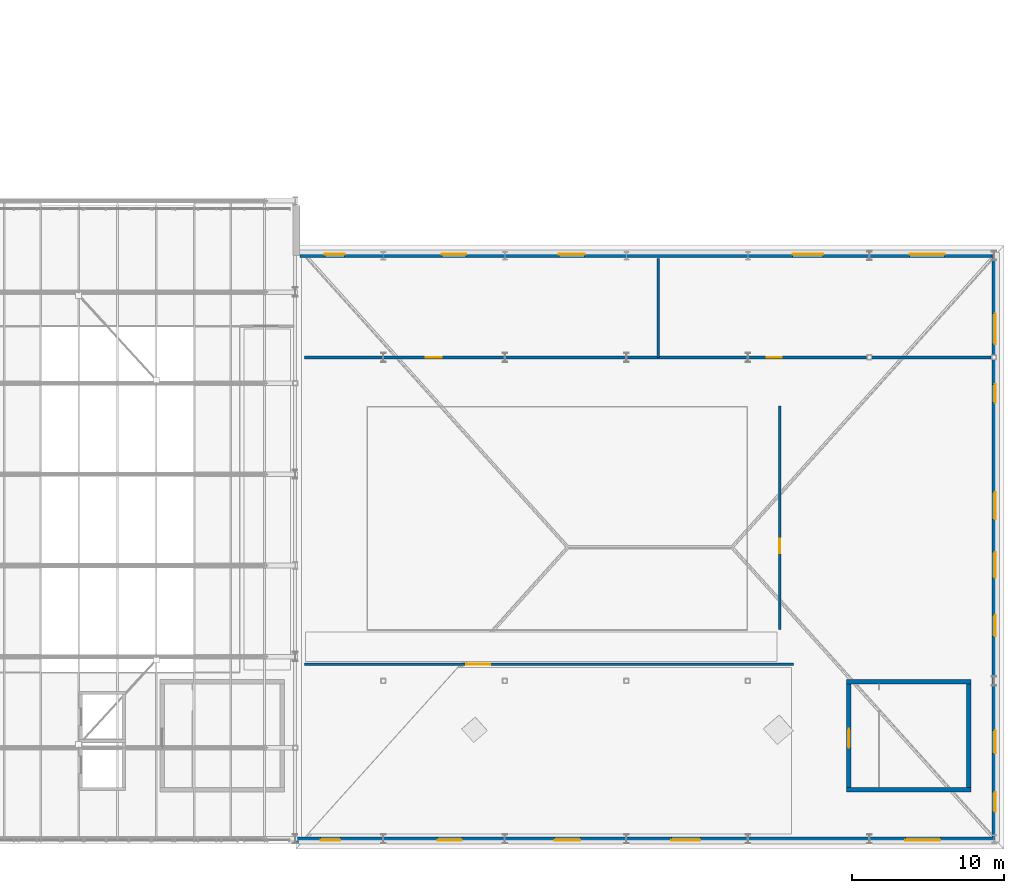
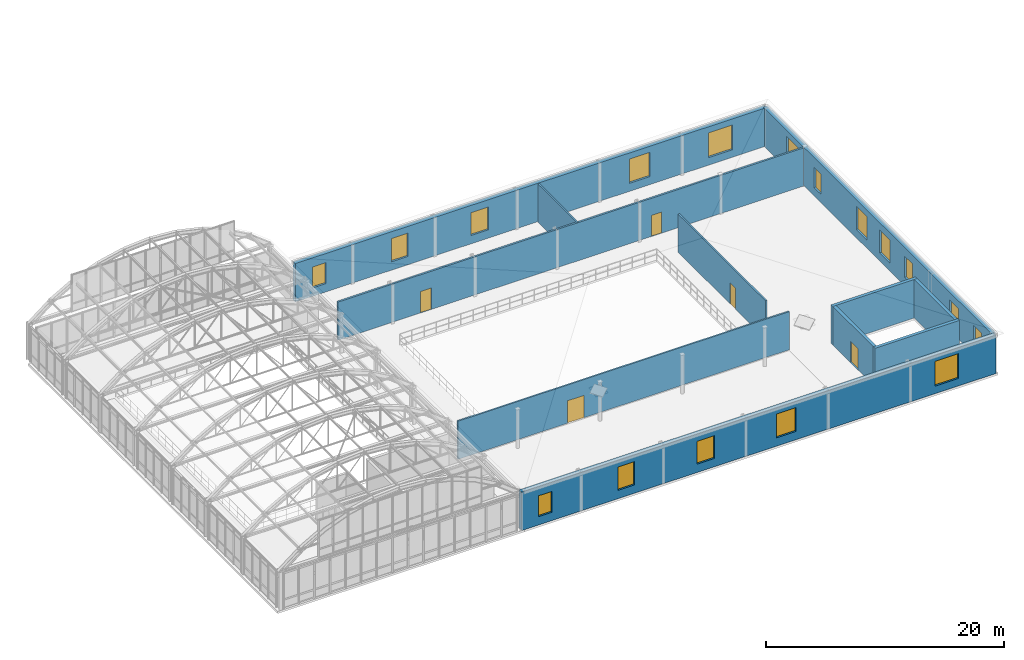
# One storey, part 133 of 148: 17 windows, 11 walls, 5 doors, 22 openings.
"""IFC4 building model written with IfcOpenShell, lengths in metres."""

from ifc_helpers import new_model, si_unit, direction, frame, frame_2d, origin, place, context, subcontext, project, spatial, rectangle, extrude, material, layer, layer_set, type_object, element, fill, save


model = new_model("IFC4")

# Units and contexts
model_context = context("Model", 3, precision=1e-05, world=origin(), true_north=direction((0.0, 1.0)))
body_context = subcontext(model_context, "Body", "Model", "MODEL_VIEW")
ifc_project = project(units=[si_unit("LENGTHUNIT", "METRE"), si_unit("AREAUNIT", "SQUARE_METRE"), si_unit("VOLUMEUNIT", "CUBIC_METRE"), si_unit("PLANEANGLEUNIT", "RADIAN"), si_unit("MASSUNIT", "GRAM", prefix="KILO"), si_unit("THERMODYNAMICTEMPERATUREUNIT", "KELVIN"), si_unit("POWERUNIT", "WATT")], contexts=[model_context])

# Site, building, storey
site_placement = place(None, origin())
site = spatial("IfcSite", under=ifc_project, at=site_placement, CompositionType="ELEMENT")
building_placement = place(site_placement, origin())
building = spatial("IfcBuilding", under=site, at=building_placement, Name="Solvatero Civic Police Headquarters", CompositionType="ELEMENT")
storey_placement = place(building_placement, frame((0.0, 0.0, 5.10009765625)))
storey = spatial("IfcBuildingStorey", under=building, at=storey_placement, Name="L01", CompositionType="ELEMENT", Elevation=5.10009765625)

# Wall, openings, windows
ifc_material_1 = material(Name="Cream Limestone Ashlar", Category="masonry")
ifc_layer_1 = layer(ifc_material_1, 0.419921875)
ifc_layer_set_1 = layer_set([ifc_layer_1], Name="Cream Limestone Ashlar")
wall_type_1 = type_object("IfcWallType", Name="WL-EXT-LIME-420", PredefinedType="SOLIDWALL", material=ifc_layer_set_1)
wall_1_placement = place(storey_placement, frame((122.219970703125, 4.719970703125, 0.0), z_axis=(0.0, 0.0, 1.0), x_axis=(1.0, 0.0, 0.0)))
wall_1 = element("IfcWall", 1, at=wall_1_placement, inside=storey, type_object=wall_type_1, Name="Exterior Wall WLE-L01-V3-S", PredefinedType="SOLIDWALL", context=body_context, shape_type="SweptSolid", body=[
    extrude(rectangle(XDim=46.06005859375, YDim=0.419921875, at=frame_2d((23.030029296875, 0.0))), origin(), (0.0, 0.0, 1.0), 3.93994140625),
])
opening_1_placement = place(wall_1_placement, frame((1.64990234375, 0.0, 0.85009765625)))
opening_1 = element("IfcOpeningElement", 2, at=opening_1_placement, cuts=wall_1, Name="Opening W-13", PredefinedType="OPENING", context=body_context, shape_type="SweptSolid", body=[
    extrude(rectangle(XDim=1.300048828125, YDim=2.14990234375, at=frame_2d((0.64990234375, 1.074951171875))), frame((0.0, 0.219970703125, 0.0), z_axis=(0.0, -1.0, 0.0), x_axis=(1.0, 0.0, 0.0)), (0.0, 0.0, 1.0), 0.43994140625),
])
opening_2_placement = place(wall_1_placement, frame((9.35009765625, 0.0, 0.85009765625)))
opening_2 = element("IfcOpeningElement", 3, at=opening_2_placement, cuts=wall_1, Name="Opening W-04", PredefinedType="OPENING", context=body_context, shape_type="SweptSolid", body=[
    extrude(rectangle(XDim=1.60009765625, YDim=2.39990234375, at=frame_2d((0.800048828125, 1.199951171875))), frame((0.0, 0.219970703125, 0.0), z_axis=(0.0, -1.0, 0.0), x_axis=(1.0, 0.0, 0.0)), (0.0, 0.0, 1.0), 0.43994140625),
])
opening_3_placement = place(wall_1_placement, frame((17.050048828125, 0.0, 0.85009765625)))
opening_3 = element("IfcOpeningElement", 4, at=opening_3_placement, cuts=wall_1, Name="Opening W-14", PredefinedType="OPENING", context=body_context, shape_type="SweptSolid", body=[
    extrude(rectangle(XDim=1.699951171875, YDim=2.35009765625, at=frame_2d((0.85009765625, 1.175048828125))), frame((0.0, 0.219970703125, 0.0), z_axis=(0.0, -1.0, 0.0), x_axis=(1.0, 0.0, 0.0)), (0.0, 0.0, 1.0), 0.43994140625),
])
opening_4_placement = place(wall_1_placement, frame((24.75, 0.0, 0.85009765625)))
opening_4 = element("IfcOpeningElement", 5, at=opening_4_placement, cuts=wall_1, Name="Opening W-15", PredefinedType="OPENING", context=body_context, shape_type="SweptSolid", body=[
    extrude(rectangle(XDim=1.89990234375, YDim=2.449951171875, at=frame_2d((0.949951171875, 1.22509765625))), frame((0.0, 0.219970703125, 0.0), z_axis=(0.0, -1.0, 0.0), x_axis=(1.0, 0.0, 0.0)), (0.0, 0.0, 1.0), 0.43994140625),
])
opening_5_placement = place(wall_1_placement, frame((40.14990234375, 0.0, 0.77001953125)))
opening_5 = element("IfcOpeningElement", 6, at=opening_5_placement, cuts=wall_1, Name="Opening W-17", PredefinedType="OPENING", context=body_context, shape_type="SweptSolid", body=[
    extrude(rectangle(XDim=2.300048828125, YDim=2.550048828125, at=frame_2d((1.14990234375, 1.27490234375))), frame((0.0, 0.219970703125, 0.0), z_axis=(0.0, -1.0, 0.0), x_axis=(1.0, 0.0, 0.0)), (0.0, 0.0, 1.0), 0.43994140625),
])
ifc_material_2 = material(Name="Anodized Bronze Aluminium", Category="aluminium")
window_type_1 = type_object("IfcWindowType", Name="WN-CL-130x215", PartitioningType="SINGLE_PANEL", PredefinedType="WINDOW", material=ifc_material_2)
window_1_placement = place(opening_1_placement, origin())
window_1 = element("IfcWindow", 7, at=window_1_placement, inside=storey, type_object=window_type_1, Name="Exterior Window 0251", OverallHeight=2.14990234375, OverallWidth=1.300048828125, PartitioningType="SINGLE_PANEL", PredefinedType="WINDOW", context=body_context, shape_type="SweptSolid", body=[
    extrude(rectangle(XDim=1.300048828125, YDim=2.14990234375, at=frame_2d((0.64990234375, 1.074951171875))), frame((0.0, 0.030029296875, 0.0), z_axis=(0.0, -1.0, 0.0), x_axis=(1.0, 0.0, 0.0)), (0.0, 0.0, 1.0), 0.06005859375),
])
fill(opening_1, window_1)
window_type_2 = type_object("IfcWindowType", Name="WN-CL-160x240", PartitioningType="SINGLE_PANEL", PredefinedType="WINDOW", material=ifc_material_2)
window_2_placement = place(opening_2_placement, origin())
window_2 = element("IfcWindow", 8, at=window_2_placement, inside=storey, type_object=window_type_2, Name="Exterior Window 0252", OverallHeight=2.39990234375, OverallWidth=1.60009765625, PartitioningType="SINGLE_PANEL", PredefinedType="WINDOW", context=body_context, shape_type="SweptSolid", body=[
    extrude(rectangle(XDim=1.60009765625, YDim=2.39990234375, at=frame_2d((0.800048828125, 1.199951171875))), frame((0.0, 0.030029296875, 0.0), z_axis=(0.0, -1.0, 0.0), x_axis=(1.0, 0.0, 0.0)), (0.0, 0.0, 1.0), 0.06005859375),
])
fill(opening_2, window_2)
window_type_3 = type_object("IfcWindowType", Name="WN-CL-170x235", PartitioningType="SINGLE_PANEL", PredefinedType="WINDOW", material=ifc_material_2)
window_3_placement = place(opening_3_placement, origin())
window_3 = element("IfcWindow", 9, at=window_3_placement, inside=storey, type_object=window_type_3, Name="Exterior Window 0253", OverallHeight=2.35009765625, OverallWidth=1.699951171875, PartitioningType="SINGLE_PANEL", PredefinedType="WINDOW", context=body_context, shape_type="SweptSolid", body=[
    extrude(rectangle(XDim=1.699951171875, YDim=2.35009765625, at=frame_2d((0.85009765625, 1.175048828125))), frame((0.0, 0.030029296875, 0.0), z_axis=(0.0, -1.0, 0.0), x_axis=(1.0, 0.0, 0.0)), (0.0, 0.0, 1.0), 0.06005859375),
])
fill(opening_3, window_3)
window_type_4 = type_object("IfcWindowType", Name="WN-CL-190x245", PartitioningType="SINGLE_PANEL", PredefinedType="WINDOW", material=ifc_material_2)
window_4_placement = place(opening_4_placement, origin())
window_4 = element("IfcWindow", 10, at=window_4_placement, inside=storey, type_object=window_type_4, Name="Exterior Window 0254", OverallHeight=2.449951171875, OverallWidth=1.89990234375, PartitioningType="SINGLE_PANEL", PredefinedType="WINDOW", context=body_context, shape_type="SweptSolid", body=[
    extrude(rectangle(XDim=1.89990234375, YDim=2.449951171875, at=frame_2d((0.949951171875, 1.22509765625))), frame((0.0, 0.030029296875, 0.0), z_axis=(0.0, -1.0, 0.0), x_axis=(1.0, 0.0, 0.0)), (0.0, 0.0, 1.0), 0.06005859375),
])
fill(opening_4, window_4)
window_type_5 = type_object("IfcWindowType", Name="WN-CL-230x255", PartitioningType="SINGLE_PANEL", PredefinedType="WINDOW", material=ifc_material_2)
window_5_placement = place(opening_5_placement, origin())
window_5 = element("IfcWindow", 11, at=window_5_placement, inside=storey, type_object=window_type_5, Name="Exterior Window 0255", OverallHeight=2.550048828125, OverallWidth=2.300048828125, PartitioningType="SINGLE_PANEL", PredefinedType="WINDOW", context=body_context, shape_type="SweptSolid", body=[
    extrude(rectangle(XDim=2.300048828125, YDim=2.550048828125, at=frame_2d((1.14990234375, 1.27490234375))), frame((0.0, 0.030029296875, 0.0), z_axis=(0.0, -1.0, 0.0), x_axis=(1.0, 0.0, 0.0)), (0.0, 0.0, 1.0), 0.06005859375),
])
fill(opening_5, window_5)

wall_2_placement = place(storey_placement, frame((168.280029296875, 4.929931640625, 0.0), z_axis=(0.0, 0.0, 1.0), x_axis=(0.0, 1.0, 0.0)))
wall_2 = element("IfcWall", 12, at=wall_2_placement, inside=storey, type_object=wall_type_1, Name="Exterior Wall WLE-L01-V3-E", PredefinedType="SOLIDWALL", context=body_context, shape_type="SweptSolid", body=[
    extrude(rectangle(XDim=38.35009765625, YDim=0.419921875, at=frame_2d((19.175048828125, 0.0))), origin(), (0.0, 0.0, 1.0), 3.93994140625),
])
opening_6_placement = place(wall_2_placement, frame((1.64990234375, 0.0, 0.85009765625)))
opening_6 = element("IfcOpeningElement", 13, at=opening_6_placement, cuts=wall_2, Name="Opening W-13", PredefinedType="OPENING", context=body_context, shape_type="SweptSolid", body=[
    extrude(rectangle(XDim=1.300048828125, YDim=2.14990234375, at=frame_2d((0.64990234375, 1.074951171875))), frame((0.0, 0.219970703125, 0.0), z_axis=(0.0, -1.0, 0.0), x_axis=(1.0, 0.0, 0.0)), (0.0, 0.0, 1.0), 0.43994140625),
])
opening_7_placement = place(wall_2_placement, frame((5.5, 0.0, 0.85009765625)))
opening_7 = element("IfcOpeningElement", 14, at=opening_7_placement, cuts=wall_2, Name="Opening W-03", PredefinedType="OPENING", context=body_context, shape_type="SweptSolid", body=[
    extrude(rectangle(XDim=1.5, YDim=2.300048828125, at=frame_2d((0.75, 1.14990234375))), frame((0.0, 0.219970703125, 0.0), z_axis=(0.0, -1.0, 0.0), x_axis=(1.0, 0.0, 0.0)), (0.0, 0.0, 1.0), 0.43994140625),
])
opening_8_placement = place(wall_2_placement, frame((13.199951171875, 0.0, 0.85009765625)))
opening_8 = element("IfcOpeningElement", 15, at=opening_8_placement, cuts=wall_2, Name="Opening W-02", PredefinedType="OPENING", context=body_context, shape_type="SweptSolid", body=[
    extrude(rectangle(XDim=1.39990234375, YDim=2.199951171875, at=frame_2d((0.699951171875, 1.10009765625))), frame((0.0, 0.219970703125, 0.0), z_axis=(0.0, -1.0, 0.0), x_axis=(1.0, 0.0, 0.0)), (0.0, 0.0, 1.0), 0.43994140625),
])
opening_9_placement = place(wall_2_placement, frame((17.050048828125, 0.0, 0.85009765625)))
opening_9 = element("IfcOpeningElement", 16, at=opening_9_placement, cuts=wall_2, Name="Opening W-14", PredefinedType="OPENING", context=body_context, shape_type="SweptSolid", body=[
    extrude(rectangle(XDim=1.699951171875, YDim=2.35009765625, at=frame_2d((0.85009765625, 1.175048828125))), frame((0.0, 0.219970703125, 0.0), z_axis=(0.0, -1.0, 0.0), x_axis=(1.0, 0.0, 0.0)), (0.0, 0.0, 1.0), 0.43994140625),
])
opening_10_placement = place(wall_2_placement, frame((20.89990234375, 0.0, 0.85009765625)))
opening_10 = element("IfcOpeningElement", 17, at=opening_10_placement, cuts=wall_2, Name="Opening W-05", PredefinedType="OPENING", context=body_context, shape_type="SweptSolid", body=[
    extrude(rectangle(XDim=1.800048828125, YDim=2.39990234375, at=frame_2d((0.89990234375, 1.199951171875))), frame((0.0, 0.219970703125, 0.0), z_axis=(0.0, -1.0, 0.0), x_axis=(1.0, 0.0, 0.0)), (0.0, 0.0, 1.0), 0.43994140625),
])
opening_11_placement = place(wall_2_placement, frame((28.60009765625, 0.0, 0.85009765625)))
opening_11 = element("IfcOpeningElement", 18, at=opening_11_placement, cuts=wall_2, Name="Opening W-01", PredefinedType="OPENING", context=body_context, shape_type="SweptSolid", body=[
    extrude(rectangle(XDim=1.199951171875, YDim=2.10009765625, at=frame_2d((0.60009765625, 1.050048828125))), frame((0.0, 0.219970703125, 0.0), z_axis=(0.0, -1.0, 0.0), x_axis=(1.0, 0.0, 0.0)), (0.0, 0.0, 1.0), 0.43994140625),
])
opening_12_placement = place(wall_2_placement, frame((32.449951171875, 0.0, 0.820068359375)))
opening_12 = element("IfcOpeningElement", 19, at=opening_12_placement, cuts=wall_2, Name="Opening W-06", PredefinedType="OPENING", context=body_context, shape_type="SweptSolid", body=[
    extrude(rectangle(XDim=2.0, YDim=2.5, at=frame_2d((1.0, 1.25))), frame((0.0, 0.219970703125, 0.0), z_axis=(0.0, -1.0, 0.0), x_axis=(1.0, 0.0, 0.0)), (0.0, 0.0, 1.0), 0.43994140625),
])
window_type_6 = type_object("IfcWindowType", Name="WN-CL-120x210", PartitioningType="SINGLE_PANEL", PredefinedType="WINDOW", material=ifc_material_2)
window_6_placement = place(opening_11_placement, origin())
window_6 = element("IfcWindow", 20, at=window_6_placement, inside=storey, type_object=window_type_6, Name="Exterior Window 0261", OverallHeight=2.10009765625, OverallWidth=1.199951171875, PartitioningType="SINGLE_PANEL", PredefinedType="WINDOW", context=body_context, shape_type="SweptSolid", body=[
    extrude(rectangle(XDim=1.199951171875, YDim=2.10009765625, at=frame_2d((0.60009765625, 1.050048828125))), frame((0.0, 0.030029296875, 0.0), z_axis=(0.0, -1.0, 0.0), x_axis=(1.0, 0.0, 0.0)), (0.0, 0.0, 1.0), 0.06005859375),
])
fill(opening_11, window_6)
window_7_placement = place(opening_6_placement, origin())
window_7 = element("IfcWindow", 21, at=window_7_placement, inside=storey, type_object=window_type_1, Name="Exterior Window 0256", OverallHeight=2.14990234375, OverallWidth=1.300048828125, PartitioningType="SINGLE_PANEL", PredefinedType="WINDOW", context=body_context, shape_type="SweptSolid", body=[
    extrude(rectangle(XDim=1.300048828125, YDim=2.14990234375, at=frame_2d((0.64990234375, 1.074951171875))), frame((0.0, 0.030029296875, 0.0), z_axis=(0.0, -1.0, 0.0), x_axis=(1.0, 0.0, 0.0)), (0.0, 0.0, 1.0), 0.06005859375),
])
fill(opening_6, window_7)
window_type_7 = type_object("IfcWindowType", Name="WN-CL-140x220", PartitioningType="SINGLE_PANEL", PredefinedType="WINDOW", material=ifc_material_2)
window_8_placement = place(opening_8_placement, origin())
window_8 = element("IfcWindow", 22, at=window_8_placement, inside=storey, type_object=window_type_7, Name="Exterior Window 0258", OverallHeight=2.199951171875, OverallWidth=1.39990234375, PartitioningType="SINGLE_PANEL", PredefinedType="WINDOW", context=body_context, shape_type="SweptSolid", body=[
    extrude(rectangle(XDim=1.39990234375, YDim=2.199951171875, at=frame_2d((0.699951171875, 1.10009765625))), frame((0.0, 0.030029296875, 0.0), z_axis=(0.0, -1.0, 0.0), x_axis=(1.0, 0.0, 0.0)), (0.0, 0.0, 1.0), 0.06005859375),
])
fill(opening_8, window_8)
window_type_8 = type_object("IfcWindowType", Name="WN-CL-150x230", PartitioningType="SINGLE_PANEL", PredefinedType="WINDOW", material=ifc_material_2)
window_9_placement = place(opening_7_placement, origin())
window_9 = element("IfcWindow", 23, at=window_9_placement, inside=storey, type_object=window_type_8, Name="Exterior Window 0257", OverallHeight=2.300048828125, OverallWidth=1.5, PartitioningType="SINGLE_PANEL", PredefinedType="WINDOW", context=body_context, shape_type="SweptSolid", body=[
    extrude(rectangle(XDim=1.5, YDim=2.300048828125, at=frame_2d((0.75, 1.14990234375))), frame((0.0, 0.030029296875, 0.0), z_axis=(0.0, -1.0, 0.0), x_axis=(1.0, 0.0, 0.0)), (0.0, 0.0, 1.0), 0.06005859375),
])
fill(opening_7, window_9)
window_10_placement = place(opening_9_placement, origin())
window_10 = element("IfcWindow", 24, at=window_10_placement, inside=storey, type_object=window_type_3, Name="Exterior Window 0259", OverallHeight=2.35009765625, OverallWidth=1.699951171875, PartitioningType="SINGLE_PANEL", PredefinedType="WINDOW", context=body_context, shape_type="SweptSolid", body=[
    extrude(rectangle(XDim=1.699951171875, YDim=2.35009765625, at=frame_2d((0.85009765625, 1.175048828125))), frame((0.0, 0.030029296875, 0.0), z_axis=(0.0, -1.0, 0.0), x_axis=(1.0, 0.0, 0.0)), (0.0, 0.0, 1.0), 0.06005859375),
])
fill(opening_9, window_10)
window_type_9 = type_object("IfcWindowType", Name="WN-CL-180x240", PartitioningType="SINGLE_PANEL", PredefinedType="WINDOW", material=ifc_material_2)
window_11_placement = place(opening_10_placement, origin())
window_11 = element("IfcWindow", 25, at=window_11_placement, inside=storey, type_object=window_type_9, Name="Exterior Window 0260", OverallHeight=2.39990234375, OverallWidth=1.800048828125, PartitioningType="SINGLE_PANEL", PredefinedType="WINDOW", context=body_context, shape_type="SweptSolid", body=[
    extrude(rectangle(XDim=1.800048828125, YDim=2.39990234375, at=frame_2d((0.89990234375, 1.199951171875))), frame((0.0, 0.030029296875, 0.0), z_axis=(0.0, -1.0, 0.0), x_axis=(1.0, 0.0, 0.0)), (0.0, 0.0, 1.0), 0.06005859375),
])
fill(opening_10, window_11)
window_type_10 = type_object("IfcWindowType", Name="WN-CL-200x250", PartitioningType="SINGLE_PANEL", PredefinedType="WINDOW", material=ifc_material_2)
window_12_placement = place(opening_12_placement, origin())
window_12 = element("IfcWindow", 26, at=window_12_placement, inside=storey, type_object=window_type_10, Name="Exterior Window 0262", OverallHeight=2.5, OverallWidth=2.0, PartitioningType="SINGLE_PANEL", PredefinedType="WINDOW", context=body_context, shape_type="SweptSolid", body=[
    extrude(rectangle(XDim=2.0, YDim=2.5, at=frame_2d((1.0, 1.25))), frame((0.0, 0.030029296875, 0.0), z_axis=(0.0, -1.0, 0.0), x_axis=(1.0, 0.0, 0.0)), (0.0, 0.0, 1.0), 0.06005859375),
])
fill(opening_12, window_12)

wall_3_placement = place(storey_placement, frame((122.5, 43.280029296875, 0.0), z_axis=(0.0, 0.0, 1.0), x_axis=(1.0, 0.0, 0.0)))
wall_3 = element("IfcWall", 27, at=wall_3_placement, inside=storey, type_object=wall_type_1, Name="Exterior Wall WLE-L01-V3-N", PredefinedType="SOLIDWALL", context=body_context, shape_type="SweptSolid", body=[
    extrude(rectangle(XDim=45.780029296875, YDim=0.419921875, at=frame_2d((22.89013671875, 0.0))), origin(), (0.0, 0.0, 1.0), 3.93994140625),
])
opening_13_placement = place(wall_3_placement, frame((1.64990234375, 0.0, 0.85009765625)))
opening_13 = element("IfcOpeningElement", 28, at=opening_13_placement, cuts=wall_3, Name="Opening W-13", PredefinedType="OPENING", context=body_context, shape_type="SweptSolid", body=[
    extrude(rectangle(XDim=1.300048828125, YDim=2.14990234375, at=frame_2d((0.64990234375, 1.074951171875))), frame((0.0, 0.219970703125, 0.0), z_axis=(0.0, -1.0, 0.0), x_axis=(1.0, 0.0, 0.0)), (0.0, 0.0, 1.0), 0.43994140625),
])
opening_14_placement = place(wall_3_placement, frame((9.35009765625, 0.0, 0.85009765625)))
opening_14 = element("IfcOpeningElement", 29, at=opening_14_placement, cuts=wall_3, Name="Opening W-04", PredefinedType="OPENING", context=body_context, shape_type="SweptSolid", body=[
    extrude(rectangle(XDim=1.60009765625, YDim=2.39990234375, at=frame_2d((0.800048828125, 1.199951171875))), frame((0.0, 0.219970703125, 0.0), z_axis=(0.0, -1.0, 0.0), x_axis=(1.0, 0.0, 0.0)), (0.0, 0.0, 1.0), 0.43994140625),
])
opening_15_placement = place(wall_3_placement, frame((17.050048828125, 0.0, 0.85009765625)))
opening_15 = element("IfcOpeningElement", 30, at=opening_15_placement, cuts=wall_3, Name="Opening W-14", PredefinedType="OPENING", context=body_context, shape_type="SweptSolid", body=[
    extrude(rectangle(XDim=1.699951171875, YDim=2.35009765625, at=frame_2d((0.85009765625, 1.175048828125))), frame((0.0, 0.219970703125, 0.0), z_axis=(0.0, -1.0, 0.0), x_axis=(1.0, 0.0, 0.0)), (0.0, 0.0, 1.0), 0.43994140625),
])
opening_16_placement = place(wall_3_placement, frame((32.449951171875, 0.0, 0.820068359375)))
opening_16 = element("IfcOpeningElement", 31, at=opening_16_placement, cuts=wall_3, Name="Opening W-06", PredefinedType="OPENING", context=body_context, shape_type="SweptSolid", body=[
    extrude(rectangle(XDim=2.0, YDim=2.5, at=frame_2d((1.0, 1.25))), frame((0.0, 0.219970703125, 0.0), z_axis=(0.0, -1.0, 0.0), x_axis=(1.0, 0.0, 0.0)), (0.0, 0.0, 1.0), 0.43994140625),
])
opening_17_placement = place(wall_3_placement, frame((40.14990234375, 0.0, 0.77001953125)))
opening_17 = element("IfcOpeningElement", 32, at=opening_17_placement, cuts=wall_3, Name="Opening W-17", PredefinedType="OPENING", context=body_context, shape_type="SweptSolid", body=[
    extrude(rectangle(XDim=2.300048828125, YDim=2.550048828125, at=frame_2d((1.14990234375, 1.27490234375))), frame((0.0, 0.219970703125, 0.0), z_axis=(0.0, -1.0, 0.0), x_axis=(1.0, 0.0, 0.0)), (0.0, 0.0, 1.0), 0.43994140625),
])
window_13_placement = place(opening_13_placement, origin())
window_13 = element("IfcWindow", 33, at=window_13_placement, inside=storey, type_object=window_type_1, Name="Exterior Window 0263", OverallHeight=2.14990234375, OverallWidth=1.300048828125, PartitioningType="SINGLE_PANEL", PredefinedType="WINDOW", context=body_context, shape_type="SweptSolid", body=[
    extrude(rectangle(XDim=1.300048828125, YDim=2.14990234375, at=frame_2d((0.64990234375, 1.074951171875))), frame((0.0, 0.030029296875, 0.0), z_axis=(0.0, -1.0, 0.0), x_axis=(1.0, 0.0, 0.0)), (0.0, 0.0, 1.0), 0.06005859375),
])
fill(opening_13, window_13)
window_14_placement = place(opening_14_placement, origin())
window_14 = element("IfcWindow", 34, at=window_14_placement, inside=storey, type_object=window_type_2, Name="Exterior Window 0264", OverallHeight=2.39990234375, OverallWidth=1.60009765625, PartitioningType="SINGLE_PANEL", PredefinedType="WINDOW", context=body_context, shape_type="SweptSolid", body=[
    extrude(rectangle(XDim=1.60009765625, YDim=2.39990234375, at=frame_2d((0.800048828125, 1.199951171875))), frame((0.0, 0.030029296875, 0.0), z_axis=(0.0, -1.0, 0.0), x_axis=(1.0, 0.0, 0.0)), (0.0, 0.0, 1.0), 0.06005859375),
])
fill(opening_14, window_14)
window_15_placement = place(opening_15_placement, origin())
window_15 = element("IfcWindow", 35, at=window_15_placement, inside=storey, type_object=window_type_3, Name="Exterior Window 0265", OverallHeight=2.35009765625, OverallWidth=1.699951171875, PartitioningType="SINGLE_PANEL", PredefinedType="WINDOW", context=body_context, shape_type="SweptSolid", body=[
    extrude(rectangle(XDim=1.699951171875, YDim=2.35009765625, at=frame_2d((0.85009765625, 1.175048828125))), frame((0.0, 0.030029296875, 0.0), z_axis=(0.0, -1.0, 0.0), x_axis=(1.0, 0.0, 0.0)), (0.0, 0.0, 1.0), 0.06005859375),
])
fill(opening_15, window_15)
window_16_placement = place(opening_16_placement, origin())
window_16 = element("IfcWindow", 36, at=window_16_placement, inside=storey, type_object=window_type_10, Name="Exterior Window 0266", OverallHeight=2.5, OverallWidth=2.0, PartitioningType="SINGLE_PANEL", PredefinedType="WINDOW", context=body_context, shape_type="SweptSolid", body=[
    extrude(rectangle(XDim=2.0, YDim=2.5, at=frame_2d((1.0, 1.25))), frame((0.0, 0.030029296875, 0.0), z_axis=(0.0, -1.0, 0.0), x_axis=(1.0, 0.0, 0.0)), (0.0, 0.0, 1.0), 0.06005859375),
])
fill(opening_16, window_16)
window_17_placement = place(opening_17_placement, origin())
window_17 = element("IfcWindow", 37, at=window_17_placement, inside=storey, type_object=window_type_5, Name="Exterior Window 0267", OverallHeight=2.550048828125, OverallWidth=2.300048828125, PartitioningType="SINGLE_PANEL", PredefinedType="WINDOW", context=body_context, shape_type="SweptSolid", body=[
    extrude(rectangle(XDim=2.300048828125, YDim=2.550048828125, at=frame_2d((1.14990234375, 1.27490234375))), frame((0.0, 0.030029296875, 0.0), z_axis=(0.0, -1.0, 0.0), x_axis=(1.0, 0.0, 0.0)), (0.0, 0.0, 1.0), 0.06005859375),
])
fill(opening_17, window_17)

# Wall
ifc_material_3 = material(Name="Gypsum Acoustic Stud", Category="gypsum")
ifc_layer_2 = layer(ifc_material_3, 0.14990234375)
ifc_layer_set_2 = layer_set([ifc_layer_2], Name="Gypsum Acoustic Stud")
wall_type_2 = type_object("IfcWallType", Name="WL-PTN-150", PredefinedType="PARTITIONING", material=ifc_layer_set_2)
wall_4_placement = place(storey_placement, frame((146.10009765625, 36.5, 0.0), z_axis=(0.0, 0.0, 1.0), x_axis=(0.0, 1.0, 0.0)))
element("IfcWall", 38, at=wall_4_placement, inside=storey, type_object=wall_type_2, Name="Interior Partition WLP-L01-V3-M", PredefinedType="PARTITIONING", context=body_context, shape_type="SweptSolid", body=[
    extrude(rectangle(XDim=6.5, YDim=0.14990234375, at=frame_2d((3.25, 0.0))), origin(), (0.0, 0.0, 1.0), 3.919921875),
])

# Wall, opening, door
wall_5_placement = place(storey_placement, frame((122.800048828125, 16.300048828125, 0.0), z_axis=(0.0, 0.0, 1.0), x_axis=(1.0, 0.0, 0.0)))
wall_5 = element("IfcWall", 39, at=wall_5_placement, inside=storey, type_object=wall_type_2, Name="Interior Partition WLP-L01-V3-N", PredefinedType="PARTITIONING", context=body_context, shape_type="SweptSolid", body=[
    extrude(rectangle(XDim=32.199951171875, YDim=0.14990234375, at=frame_2d((16.10009765625, 0.0))), origin(), (0.0, 0.0, 1.0), 3.919921875),
])
opening_18_placement = place(wall_5_placement, frame((10.64990234375, 0.0, 0.0)))
opening_18 = element("IfcOpeningElement", 40, at=opening_18_placement, cuts=wall_5, Name="Opening ID-15", PredefinedType="OPENING", context=body_context, shape_type="SweptSolid", body=[
    extrude(rectangle(XDim=1.60009765625, YDim=2.300048828125, at=frame_2d((0.800048828125, 1.14990234375))), frame((0.0, 0.0849609375, 0.0), z_axis=(0.0, -1.0, 0.0), x_axis=(1.0, 0.0, 0.0)), (0.0, 0.0, 1.0), 0.169921875),
])
ifc_material_4 = material(Name="Powder-Coated Steel", Category="steel")
door_type_1 = type_object("IfcDoorType", Name="DR-DBL-160x230", OperationType="NOTDEFINED", PredefinedType="DOOR", material=ifc_material_4)
door_1_placement = place(opening_18_placement, origin())
door_1 = element("IfcDoor", 41, at=door_1_placement, inside=storey, type_object=door_type_1, Name="Interior Door DR-L01-PBRIEF", OperationType="DOUBLE_DOOR_SINGLE_SWING", OverallHeight=2.300048828125, OverallWidth=1.60009765625, PredefinedType="DOOR", context=body_context, shape_type="SweptSolid", body=[
    extrude(rectangle(XDim=1.60009765625, YDim=2.300048828125, at=frame_2d((0.800048828125, 1.14990234375))), frame((0.0, 0.02490234375, 0.0), z_axis=(0.0, -1.0, 0.0), x_axis=(1.0, 0.0, 0.0)), (0.0, 0.0, 1.0), 0.050048828125),
])
fill(opening_18, door_1)

wall_6_placement = place(storey_placement, frame((154.10009765625, 18.60009765625, 0.0), z_axis=(0.0, 0.0, 1.0), x_axis=(0.0, 1.0, 0.0)))
wall_6 = element("IfcWall", 42, at=wall_6_placement, inside=storey, type_object=wall_type_2, Name="Interior Partition WLP-L01-V3-E", PredefinedType="PARTITIONING", context=body_context, shape_type="SweptSolid", body=[
    extrude(rectangle(XDim=14.699951171875, YDim=0.14990234375, at=frame_2d((7.35009765625, 0.0))), origin(), (0.0, 0.0, 1.0), 3.919921875),
])
opening_19_placement = place(wall_6_placement, frame((5.0, 0.0, 0.0)))
opening_19 = element("IfcOpeningElement", 43, at=opening_19_placement, cuts=wall_6, Name="Opening ID-04", PredefinedType="OPENING", context=body_context, shape_type="SweptSolid", body=[
    extrude(rectangle(XDim=0.949951171875, YDim=2.14990234375, at=frame_2d((0.47509765625, 1.074951171875))), frame((0.0, 0.0849609375, 0.0), z_axis=(0.0, -1.0, 0.0), x_axis=(1.0, 0.0, 0.0)), (0.0, 0.0, 1.0), 0.169921875),
])
ifc_material_5 = material(Name="Acoustic Oak Timber Veneer", Category="wood")
door_type_2 = type_object("IfcDoorType", Name="DR-ACC-095x215", OperationType="NOTDEFINED", PredefinedType="DOOR", material=ifc_material_5)
door_2_placement = place(opening_19_placement, origin())
door_2 = element("IfcDoor", 44, at=door_2_placement, inside=storey, type_object=door_type_2, Name="Interior Door DR-L01-DEFTAC", OperationType="SINGLE_SWING_LEFT", OverallHeight=2.14990234375, OverallWidth=0.949951171875, PredefinedType="DOOR", context=body_context, shape_type="SweptSolid", body=[
    extrude(rectangle(XDim=0.949951171875, YDim=2.14990234375, at=frame_2d((0.47509765625, 1.074951171875))), frame((0.0, 0.02490234375, 0.0), z_axis=(0.0, -1.0, 0.0), x_axis=(1.0, 0.0, 0.0)), (0.0, 0.0, 1.0), 0.050048828125),
])
fill(opening_19, door_2)

# Wall, openings, doors
ifc_material_6 = material(Name="Concrete Blockwork", Category="masonry")
ifc_layer_3 = layer(ifc_material_6, 0.179931640625)
ifc_layer_set_3 = layer_set([ifc_layer_3], Name="Concrete Blockwork")
wall_type_3 = type_object("IfcWallType", Name="WL-PTN-180", PredefinedType="PARTITIONING", material=ifc_layer_set_3)
wall_7_placement = place(storey_placement, frame((122.800048828125, 36.5, 0.0), z_axis=(0.0, 0.0, 1.0), x_axis=(1.0, 0.0, 0.0)))
wall_7 = element("IfcWall", 45, at=wall_7_placement, inside=storey, type_object=wall_type_3, Name="Interior Partition WLP-L01-V3-N2", PredefinedType="PARTITIONING", context=body_context, shape_type="SweptSolid", body=[
    extrude(rectangle(XDim=45.199951171875, YDim=0.179931640625, at=frame_2d((22.60009765625, 0.0))), origin(), (0.0, 0.0, 1.0), 3.919921875),
])
opening_20_placement = place(wall_7_placement, frame((8.0, 0.0, 0.0)))
opening_20 = element("IfcOpeningElement", 46, at=opening_20_placement, cuts=wall_7, Name="Opening ID-07", PredefinedType="OPENING", context=body_context, shape_type="SweptSolid", body=[
    extrude(rectangle(XDim=1.050048828125, YDim=2.199951171875, at=frame_2d((0.52490234375, 1.10009765625))), frame((0.0, 0.099853515625, 0.0), z_axis=(0.0, -1.0, 0.0), x_axis=(1.0, 0.0, 0.0)), (0.0, 0.0, 1.0), 0.199951171875),
])
opening_21_placement = place(wall_7_placement, frame((30.449951171875, 0.0, 0.0)))
opening_21 = element("IfcOpeningElement", 47, at=opening_21_placement, cuts=wall_7, Name="Opening ID-05", PredefinedType="OPENING", context=body_context, shape_type="SweptSolid", body=[
    extrude(rectangle(XDim=0.97998046875, YDim=2.159912109375, at=frame_2d((0.489990234375, 1.080078125))), frame((0.0, 0.099853515625, 0.0), z_axis=(0.0, -1.0, 0.0), x_axis=(1.0, 0.0, 0.0)), (0.0, 0.0, 1.0), 0.199951171875),
])
door_type_3 = type_object("IfcDoorType", Name="DR-LAB-105x220", OperationType="NOTDEFINED", PredefinedType="DOOR", material=ifc_material_4)
door_3_placement = place(opening_20_placement, origin())
door_3 = element("IfcDoor", 48, at=door_3_placement, inside=storey, type_object=door_type_3, Name="Interior Door DR-L01-PHYS", OperationType="SINGLE_SWING_LEFT", OverallHeight=2.199951171875, OverallWidth=1.050048828125, PredefinedType="DOOR", context=body_context, shape_type="SweptSolid", body=[
    extrude(rectangle(XDim=1.050048828125, YDim=2.199951171875, at=frame_2d((0.52490234375, 1.10009765625))), frame((0.0, 0.02490234375, 0.0), z_axis=(0.0, -1.0, 0.0), x_axis=(1.0, 0.0, 0.0)), (0.0, 0.0, 1.0), 0.050048828125),
])
fill(opening_20, door_3)
door_type_4 = type_object("IfcDoorType", Name="DR-OFF-098x216", OperationType="NOTDEFINED", PredefinedType="DOOR", material=ifc_material_4)
door_4_placement = place(opening_21_placement, origin())
door_4 = element("IfcDoor", 49, at=door_4_placement, inside=storey, type_object=door_type_4, Name="Interior Door DR-L01-PSYCH", OperationType="SINGLE_SWING_RIGHT", OverallHeight=2.159912109375, OverallWidth=0.97998046875, PredefinedType="DOOR", context=body_context, shape_type="SweptSolid", body=[
    extrude(rectangle(XDim=0.97998046875, YDim=2.159912109375, at=frame_2d((0.489990234375, 1.080078125))), frame((0.0, 0.02490234375, 0.0), z_axis=(0.0, -1.0, 0.0), x_axis=(1.0, 0.0, 0.0)), (0.0, 0.0, 1.0), 0.050048828125),
])
fill(opening_21, door_4)

# Walls
ifc_material_7 = material(Name="Concrete C40/50", Category="concrete")
ifc_layer_4 = layer(ifc_material_7, 0.300048828125)
ifc_layer_set_4 = layer_set([ifc_layer_4], Name="Concrete C40/50")
wall_type_4 = type_object("IfcWallType", Name="WL-SHR-300", PredefinedType="SHEAR", material=ifc_layer_set_4)
for number, where, z_axis, x_axis, name in (
    (50, (158.5, 8.050048828125, 0.0), (0.0, 0.0, 1.0), (1.0, 0.0, 0.0), "Core C6 Shear Wall S L01"),
    (51, (158.5, 15.14990234375, 0.0), (0.0, 0.0, 1.0), (1.0, 0.0, 0.0), "Core C6 Shear Wall N L01"),
):
    element("IfcWall", number, at=place(storey_placement, frame(where, z_axis=z_axis, x_axis=x_axis)), inside=storey, type_object=wall_type_4, Name=name, PredefinedType="SHEAR", context=body_context, shape_type="SweptSolid", body=[
        extrude(rectangle(XDim=8.199951171875, YDim=0.300048828125, at=frame_2d((4.10009765625, 0.0))), origin(), (0.0, 0.0, 1.0), 3.9599609375),
    ])

# Wall, opening, door
wall_8_placement = place(storey_placement, frame((158.64990234375, 8.199951171875, 0.0), z_axis=(0.0, 0.0, 1.0), x_axis=(0.0, 1.0, 0.0)))
wall_8 = element("IfcWall", 52, at=wall_8_placement, inside=storey, type_object=wall_type_4, Name="Core C6 Shear Wall W L01", PredefinedType="SHEAR", context=body_context, shape_type="SweptSolid", body=[
    extrude(rectangle(XDim=6.800048828125, YDim=0.300048828125, at=frame_2d((3.39990234375, 0.0))), origin(), (0.0, 0.0, 1.0), 3.9599609375),
])
opening_22_placement = place(wall_8_placement, frame((2.60009765625, 0.0, 0.0)))
opening_22 = element("IfcOpeningElement", 53, at=opening_22_placement, cuts=wall_8, Name="Opening FD-01", PredefinedType="OPENING", context=body_context, shape_type="SweptSolid", body=[
    extrude(rectangle(XDim=1.25, YDim=2.199951171875, at=frame_2d((0.625, 1.10009765625))), frame((0.0, 0.159912109375, 0.0), z_axis=(0.0, -1.0, 0.0), x_axis=(1.0, 0.0, 0.0)), (0.0, 0.0, 1.0), 0.320068359375),
])
door_type_5 = type_object("IfcDoorType", Name="DR-STR-125x220", OperationType="NOTDEFINED", PredefinedType="DOOR", material=ifc_material_4)
door_5_placement = place(opening_22_placement, origin())
door_5 = element("IfcDoor", 54, at=door_5_placement, inside=storey, type_object=door_type_5, Name="Interior Door DR-STR-C6-L01", OperationType="SINGLE_SWING_LEFT", OverallHeight=2.199951171875, OverallWidth=1.25, PredefinedType="DOOR", context=body_context, shape_type="SweptSolid", body=[
    extrude(rectangle(XDim=1.25, YDim=2.199951171875, at=frame_2d((0.625, 1.10009765625))), frame((0.0, 0.02490234375, 0.0), z_axis=(0.0, -1.0, 0.0), x_axis=(1.0, 0.0, 0.0)), (0.0, 0.0, 1.0), 0.050048828125),
])
fill(opening_22, door_5)

# Wall
wall_9_placement = place(storey_placement, frame((166.550048828125, 8.199951171875, 0.0), z_axis=(0.0, 0.0, 1.0), x_axis=(0.0, 1.0, 0.0)))
element("IfcWall", 55, at=wall_9_placement, inside=storey, type_object=wall_type_4, Name="Core C6 Shear Wall E L01", PredefinedType="SHEAR", context=body_context, shape_type="SweptSolid", body=[
    extrude(rectangle(XDim=6.800048828125, YDim=0.300048828125, at=frame_2d((3.39990234375, 0.0))), origin(), (0.0, 0.0, 1.0), 3.9599609375),
])

save(model, "model.ifc")
